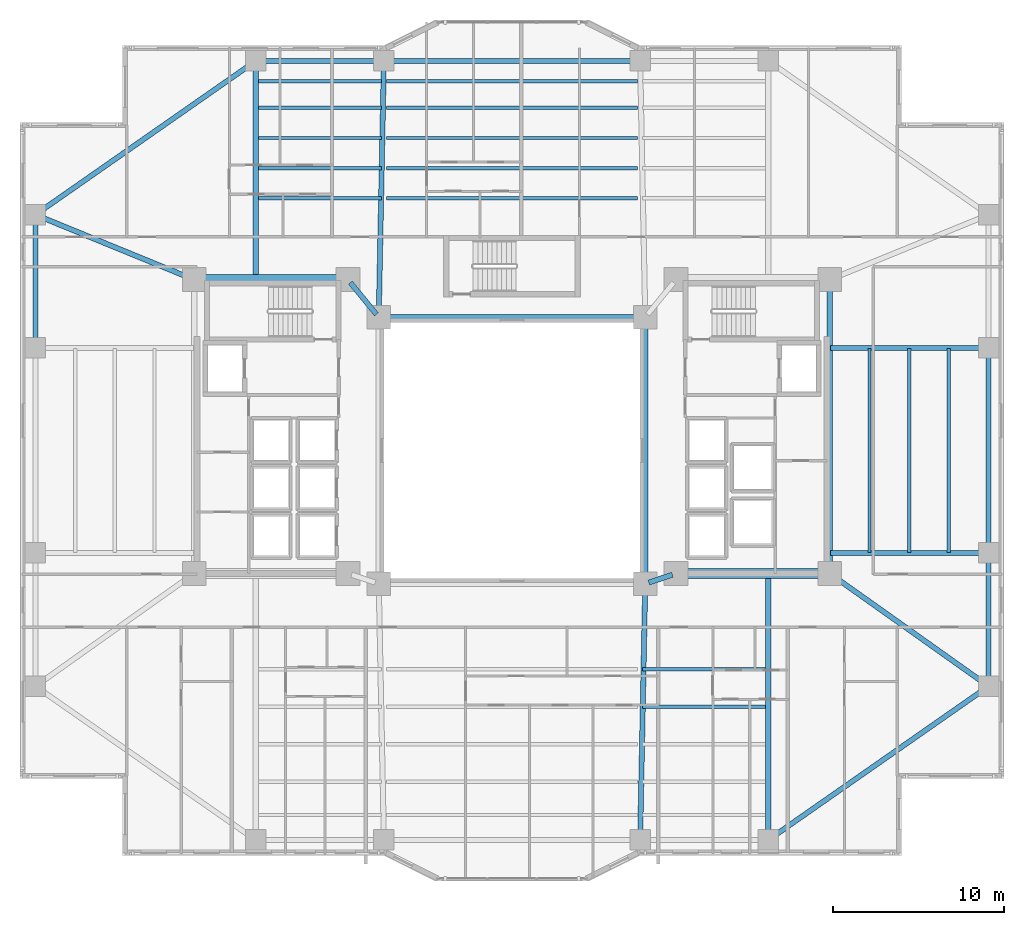
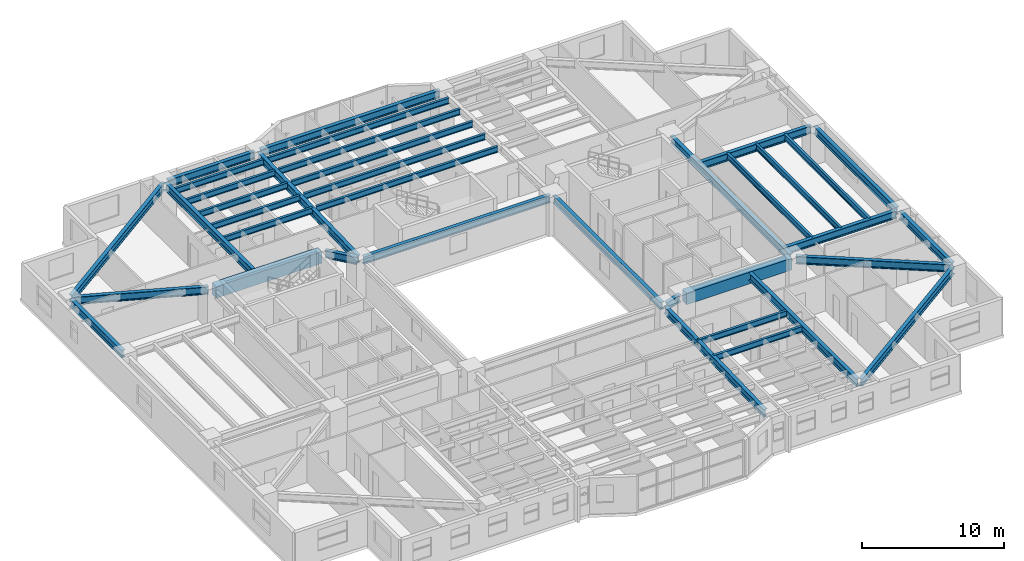
# One storey, part 5 of 21: 37 beams.
"""IFC4 building model written with IfcOpenShell, lengths in metres."""

from ifc_helpers import new_model, si_unit, direction, frame, origin, origin_2d, place, context, subcontext, project, spatial, rectangle, i_section, extrude, material, material_profile, profile_set, type_object, element, save


model = new_model("IFC4")

# Units and contexts
model_context = context("Model", 3, precision=1e-05, world=origin(), true_north=direction((0.0, 1.0)))
body_context = subcontext(model_context, "Body", "Model", "MODEL_VIEW")
ifc_project = project(units=[si_unit("LENGTHUNIT", "METRE"), si_unit("AREAUNIT", "SQUARE_METRE"), si_unit("VOLUMEUNIT", "CUBIC_METRE"), si_unit("PLANEANGLEUNIT", "RADIAN"), si_unit("MASSUNIT", "GRAM", prefix="KILO")], contexts=[model_context])

# Site, building, storey
site_placement = place(None, origin())
site = spatial("IfcSite", under=ifc_project, at=site_placement, CompositionType="ELEMENT")
building_placement = place(site_placement, origin())
building = spatial("IfcBuilding", under=site, at=building_placement, Name="Tarnavaz Court Tower", CompositionType="ELEMENT")
storey_placement = place(building_placement, frame((0.0, 0.0, 40.75)))
storey = spatial("IfcBuildingStorey", under=building, at=storey_placement, Name="L10", CompositionType="ELEMENT", Elevation=40.75)

# Beams
ifc_material_1 = material(Name="Concrete C60/75", Category="concrete")
ifc_material_profile_1 = material_profile(ifc_material_1, rectangle(XDim=0.60009765625, YDim=1.0, at=origin_2d()), Name="RC 600X1000")
ifc_profile_set_1 = profile_set([ifc_material_profile_1], Name="Concrete C60/75")
beam_type_1 = type_object("IfcBeamType", Name="BM-CB1000", PredefinedType="LINTEL", material=ifc_profile_set_1)
for number, where, z_axis, x_axis, name in (
    (1, (-18.3798828125, 10.0, 2.60009765625), (1.0, 0.0, 0.0), (0.0, 1.0, 0.0), "L10 Beam IN-CW-NO-CW-NI"),
    (2, (18.3798828125, -7.199951171875, 2.60009765625), (-1.0, 0.0, 0.0), (0.0, -1.0, 0.0), "L10 Beam IN-CE-SO-CE-SI"),
):
    element("IfcBeam", number, at=place(storey_placement, frame(where, z_axis=z_axis, x_axis=x_axis)), inside=storey, type_object=beam_type_1, Name=name, PredefinedType="LINTEL", context=body_context, shape_type="SweptSolid", body=[
        extrude(rectangle(XDim=0.60009765625, YDim=1.0, at=origin_2d()), origin(), (0.0, 0.0, 1.0), 8.559814453125),
    ])
ifc_material_2 = material(Name="Steel S355", Category="steel")
ifc_material_profile_2 = material_profile(ifc_material_2, i_section(OverallWidth=0.300048828125, OverallDepth=0.64990234375, WebThickness=0.01611328125, FlangeThickness=0.031005859375, FilletRadius=0.027099609375, at=origin_2d()), Name="HEB 650")
ifc_profile_set_2 = profile_set([ifc_material_profile_2], Name="Steel S355")
beam_type_2 = type_object("IfcBeamType", Name="BM-G-HEB650", PredefinedType="USERDEFINED", material=ifc_profile_set_2)
beam_1_placement = place(storey_placement, frame((9.391357421875, -7.26953125, 2.77490234375), z_axis=(-0.948666544706, -0.316278021615, 0.0), x_axis=(0.316278021615, -0.948666544706, 0.0)))
element("IfcBeam", 3, at=beam_1_placement, inside=storey, type_object=beam_type_2, Name="L10 Beam IN-CE-SI-IW-SE", ObjectType="GIRDER", PredefinedType="USERDEFINED", context=body_context, shape_type="SweptSolid", body=[
    extrude(i_section(OverallWidth=0.300048828125, OverallDepth=0.64990234375, WebThickness=0.01611328125, FlangeThickness=0.031005859375, FilletRadius=0.027099609375, at=origin_2d()), origin(), (0.0, 0.0, 1.0), 1.457275390625),
])
beam_2_placement = place(storey_placement, frame((-9.460693359375, 9.82958984375, 2.77490234375), z_axis=(0.633282058357, -0.773921077735, 0.0), x_axis=(0.773921077735, 0.633282058357, 0.0)))
element("IfcBeam", 4, at=beam_2_placement, inside=storey, type_object=beam_type_2, Name="L10 Beam IN-CW-NI-IW-NW", ObjectType="GIRDER", PredefinedType="USERDEFINED", context=body_context, shape_type="SweptSolid", body=[
    extrude(i_section(OverallWidth=0.300048828125, OverallDepth=0.64990234375, WebThickness=0.01611328125, FlangeThickness=0.031005859375, FilletRadius=0.027099609375, at=origin_2d()), origin(), (0.0, 0.0, 1.0), 2.402587890625),
])
beam_3_placement = place(storey_placement, frame((18.60009765625, -6.97998046875, 2.77490234375), z_axis=(0.0, 1.0, 0.0), x_axis=(-1.0, 0.0, 0.0)))
element("IfcBeam", 5, at=beam_3_placement, inside=storey, type_object=beam_type_2, Name="L10 Beam IN-CE-SO-CE-NO", ObjectType="GIRDER", PredefinedType="USERDEFINED", context=body_context, shape_type="SweptSolid", body=[
    extrude(i_section(OverallWidth=0.300048828125, OverallDepth=0.64990234375, WebThickness=0.01611328125, FlangeThickness=0.031005859375, FilletRadius=0.027099609375, at=origin_2d()), origin(), (0.0, 0.0, 1.0), 16.760009765625),
])
beam_4_placement = place(storey_placement, frame((-15.0, 10.0400390625, 2.77490234375), z_axis=(0.0, 1.0, 0.0), x_axis=(-1.0, 0.0, 0.0)))
element("IfcBeam", 6, at=beam_4_placement, inside=storey, type_object=beam_type_2, Name="L10 Beam RG-01", ObjectType="GIRDER", PredefinedType="USERDEFINED", context=body_context, shape_type="SweptSolid", body=[
    extrude(i_section(OverallWidth=0.300048828125, OverallDepth=0.64990234375, WebThickness=0.01611328125, FlangeThickness=0.031005859375, FilletRadius=0.027099609375, at=origin_2d()), origin(), (0.0, 0.0, 1.0), 12.5400390625),
])
for number, where, z_axis, x_axis, name in (
    (7, (-7.795654296875, 8.02001953125, 2.77490234375), (0.020000023066, 0.999799979535, 0.0), (-0.999799979535, 0.020000023066, 0.0), "L10 Beam RG-02"),
    (8, (7.795654296875, -8.02001953125, 2.77490234375), (-0.020000023066, -0.999799979535, 0.0), (0.999799979535, -0.020000023066, 0.0), "L10 Beam RG-07"),
):
    element("IfcBeam", number, at=place(storey_placement, frame(where, z_axis=z_axis, x_axis=x_axis)), inside=storey, type_object=beam_type_2, Name=name, ObjectType="GIRDER", PredefinedType="USERDEFINED", context=body_context, shape_type="SweptSolid", body=[
        extrude(i_section(OverallWidth=0.300048828125, OverallDepth=0.64990234375, WebThickness=0.01611328125, FlangeThickness=0.031005859375, FilletRadius=0.027099609375, at=origin_2d()), origin(), (0.0, 0.0, 1.0), 14.56298828125),
    ])
beam_5_placement = place(storey_placement, frame((15.0, -7.239990234375, 2.77490234375), z_axis=(0.0, -1.0, 0.0), x_axis=(1.0, 0.0, 0.0)))
element("IfcBeam", 9, at=beam_5_placement, inside=storey, type_object=beam_type_2, Name="L10 Beam RG-08", ObjectType="GIRDER", PredefinedType="USERDEFINED", context=body_context, shape_type="SweptSolid", body=[
    extrude(i_section(OverallWidth=0.300048828125, OverallDepth=0.64990234375, WebThickness=0.01611328125, FlangeThickness=0.031005859375, FilletRadius=0.027099609375, at=origin_2d()), origin(), (0.0, 0.0, 1.0), 15.340087890625),
])
for number, where, z_axis, x_axis, name in (
    (10, (18.639892578125, -6.0, 2.77490234375), (1.0, 0.0, 0.0), (0.0, 1.0, 0.0), "L10 Beam RG-09"),
    (11, (18.639892578125, 6.0, 2.77490234375), (1.0, 0.0, 0.0), (0.0, 1.0, 0.0), "L10 Beam RG-10"),
):
    element("IfcBeam", number, at=place(storey_placement, frame(where, z_axis=z_axis, x_axis=x_axis)), inside=storey, type_object=beam_type_2, Name=name, ObjectType="GIRDER", PredefinedType="USERDEFINED", context=body_context, shape_type="SweptSolid", body=[
        extrude(i_section(OverallWidth=0.300048828125, OverallDepth=0.64990234375, WebThickness=0.01611328125, FlangeThickness=0.031005859375, FilletRadius=0.027099609375, at=origin_2d()), origin(), (0.0, 0.0, 1.0), 9.0400390625),
    ])
beam_6_placement = place(storey_placement, frame((18.779296875, -7.327392578125, 2.77490234375), z_axis=(0.815520027245, -0.578728852886, 0.0), x_axis=(0.578728852886, 0.815520027245, 0.0)))
element("IfcBeam", 12, at=beam_6_placement, inside=storey, type_object=beam_type_2, Name="L10 Beam RG-11", ObjectType="GIRDER", PredefinedType="USERDEFINED", context=body_context, shape_type="SweptSolid", body=[
    extrude(i_section(OverallWidth=0.300048828125, OverallDepth=0.64990234375, WebThickness=0.01611328125, FlangeThickness=0.031005859375, FilletRadius=0.027099609375, at=origin_2d()), origin(), (0.0, 0.0, 1.0), 10.964111328125),
])
beam_7_placement = place(storey_placement, frame((-18.8037109375, 10.083251953125, 2.77490234375), z_axis=(-0.925704761705, 0.378246869329, 0.0), x_axis=(-0.378246869329, -0.925704761705, 0.0)))
element("IfcBeam", 13, at=beam_7_placement, inside=storey, type_object=beam_type_2, Name="L10 Beam RG-16", ObjectType="GIRDER", PredefinedType="USERDEFINED", context=body_context, shape_type="SweptSolid", body=[
    extrude(i_section(OverallWidth=0.300048828125, OverallDepth=0.64990234375, WebThickness=0.01611328125, FlangeThickness=0.031005859375, FilletRadius=0.027099609375, at=origin_2d()), origin(), (0.0, 0.0, 1.0), 9.606201171875),
])
ifc_material_profile_3 = material_profile(ifc_material_2, i_section(OverallWidth=0.199951171875, OverallDepth=0.5, WebThickness=0.01025390625, FlangeThickness=0.01611328125, FilletRadius=0.02099609375, at=origin_2d()), Name="IPE 500")
ifc_profile_set_3 = profile_set([ifc_material_profile_3], Name="Steel S355")
beam_type_3 = type_object("IfcBeamType", Name="BM-J-IPE500", PredefinedType="JOIST", material=ifc_profile_set_3)
beam_8_placement = place(storey_placement, frame((-14.85009765625, 14.763916015625, 2.85009765625), z_axis=(1.0, 0.0, 0.0), x_axis=(0.0, 1.0, 0.0)))
element("IfcBeam", 14, at=beam_8_placement, inside=storey, type_object=beam_type_3, Name="L10 Beam JN1-1", PredefinedType="JOIST", context=body_context, shape_type="SweptSolid", body=[
    extrude(i_section(OverallWidth=0.199951171875, OverallDepth=0.5, WebThickness=0.01025390625, FlangeThickness=0.01611328125, FilletRadius=0.02099609375, at=origin_2d()), origin(), (0.0, 0.0, 1.0), 7.2001953125),
])
beam_9_placement = place(storey_placement, frame((-7.35009765625, 14.763916015625, 2.85009765625), z_axis=(1.0, 0.0, 0.0), x_axis=(0.0, 1.0, 0.0)))
element("IfcBeam", 15, at=beam_9_placement, inside=storey, type_object=beam_type_3, Name="L10 Beam JN1-2", PredefinedType="JOIST", context=body_context, shape_type="SweptSolid", body=[
    extrude(i_section(OverallWidth=0.199951171875, OverallDepth=0.5, WebThickness=0.01025390625, FlangeThickness=0.01611328125, FilletRadius=0.02099609375, at=origin_2d()), origin(), (0.0, 0.0, 1.0), 14.7001953125),
])
for number, where, z_axis, x_axis, name in (
    (16, (7.64990234375, -12.7958984375, 2.85009765625), (1.0, 0.0, 0.0), (0.0, 1.0, 0.0), "L10 Beam JS1-3"),
    (17, (-14.85009765625, 16.528076171875, 2.85009765625), (1.0, 0.0, 0.0), (0.0, 1.0, 0.0), "L10 Beam JN2-1"),
):
    element("IfcBeam", number, at=place(storey_placement, frame(where, z_axis=z_axis, x_axis=x_axis)), inside=storey, type_object=beam_type_3, Name=name, PredefinedType="JOIST", context=body_context, shape_type="SweptSolid", body=[
        extrude(i_section(OverallWidth=0.199951171875, OverallDepth=0.5, WebThickness=0.01025390625, FlangeThickness=0.01611328125, FilletRadius=0.02099609375, at=origin_2d()), origin(), (0.0, 0.0, 1.0), 7.2001953125),
    ])
beam_10_placement = place(storey_placement, frame((-7.35009765625, 16.528076171875, 2.85009765625), z_axis=(1.0, 0.0, 0.0), x_axis=(0.0, 1.0, 0.0)))
element("IfcBeam", 18, at=beam_10_placement, inside=storey, type_object=beam_type_3, Name="L10 Beam JN2-2", PredefinedType="JOIST", context=body_context, shape_type="SweptSolid", body=[
    extrude(i_section(OverallWidth=0.199951171875, OverallDepth=0.5, WebThickness=0.01025390625, FlangeThickness=0.01611328125, FilletRadius=0.02099609375, at=origin_2d()), origin(), (0.0, 0.0, 1.0), 14.7001953125),
])
for number, where, z_axis, x_axis, name in (
    (19, (7.64990234375, -14.991943359375, 2.85009765625), (1.0, 0.0, 0.0), (0.0, 1.0, 0.0), "L10 Beam JS2-3"),
    (20, (-14.85009765625, 18.2919921875, 2.85009765625), (1.0, 0.0, 0.0), (0.0, 1.0, 0.0), "L10 Beam JN3-1"),
):
    element("IfcBeam", number, at=place(storey_placement, frame(where, z_axis=z_axis, x_axis=x_axis)), inside=storey, type_object=beam_type_3, Name=name, PredefinedType="JOIST", context=body_context, shape_type="SweptSolid", body=[
        extrude(i_section(OverallWidth=0.199951171875, OverallDepth=0.5, WebThickness=0.01025390625, FlangeThickness=0.01611328125, FilletRadius=0.02099609375, at=origin_2d()), origin(), (0.0, 0.0, 1.0), 7.2001953125),
    ])
beam_11_placement = place(storey_placement, frame((-7.35009765625, 18.2919921875, 2.85009765625), z_axis=(1.0, 0.0, 0.0), x_axis=(0.0, 1.0, 0.0)))
element("IfcBeam", 21, at=beam_11_placement, inside=storey, type_object=beam_type_3, Name="L10 Beam JN3-2", PredefinedType="JOIST", context=body_context, shape_type="SweptSolid", body=[
    extrude(i_section(OverallWidth=0.199951171875, OverallDepth=0.5, WebThickness=0.01025390625, FlangeThickness=0.01611328125, FilletRadius=0.02099609375, at=origin_2d()), origin(), (0.0, 0.0, 1.0), 14.7001953125),
])
beam_12_placement = place(storey_placement, frame((-14.85009765625, 20.055908203125, 2.85009765625), z_axis=(1.0, 0.0, 0.0), x_axis=(0.0, 1.0, 0.0)))
element("IfcBeam", 22, at=beam_12_placement, inside=storey, type_object=beam_type_3, Name="L10 Beam JN4-1", PredefinedType="JOIST", context=body_context, shape_type="SweptSolid", body=[
    extrude(i_section(OverallWidth=0.199951171875, OverallDepth=0.5, WebThickness=0.01025390625, FlangeThickness=0.01611328125, FilletRadius=0.02099609375, at=origin_2d()), origin(), (0.0, 0.0, 1.0), 7.2001953125),
])
beam_13_placement = place(storey_placement, frame((-7.35009765625, 20.055908203125, 2.85009765625), z_axis=(1.0, 0.0, 0.0), x_axis=(0.0, 1.0, 0.0)))
element("IfcBeam", 23, at=beam_13_placement, inside=storey, type_object=beam_type_3, Name="L10 Beam JN4-2", PredefinedType="JOIST", context=body_context, shape_type="SweptSolid", body=[
    extrude(i_section(OverallWidth=0.199951171875, OverallDepth=0.5, WebThickness=0.01025390625, FlangeThickness=0.01611328125, FilletRadius=0.02099609375, at=origin_2d()), origin(), (0.0, 0.0, 1.0), 14.7001953125),
])
beam_14_placement = place(storey_placement, frame((-14.85009765625, 21.6240234375, 2.85009765625), z_axis=(1.0, 0.0, 0.0), x_axis=(0.0, 1.0, 0.0)))
element("IfcBeam", 24, at=beam_14_placement, inside=storey, type_object=beam_type_3, Name="L10 Beam JN5-1", PredefinedType="JOIST", context=body_context, shape_type="SweptSolid", body=[
    extrude(i_section(OverallWidth=0.199951171875, OverallDepth=0.5, WebThickness=0.01025390625, FlangeThickness=0.01611328125, FilletRadius=0.02099609375, at=origin_2d()), origin(), (0.0, 0.0, 1.0), 7.2001953125),
])
beam_15_placement = place(storey_placement, frame((-7.35009765625, 21.6240234375, 2.85009765625), z_axis=(1.0, 0.0, 0.0), x_axis=(0.0, 1.0, 0.0)))
element("IfcBeam", 25, at=beam_15_placement, inside=storey, type_object=beam_type_3, Name="L10 Beam JN5-2", PredefinedType="JOIST", context=body_context, shape_type="SweptSolid", body=[
    extrude(i_section(OverallWidth=0.199951171875, OverallDepth=0.5, WebThickness=0.01025390625, FlangeThickness=0.01611328125, FilletRadius=0.02099609375, at=origin_2d()), origin(), (0.0, 0.0, 1.0), 14.7001953125),
])
for number, where, z_axis, x_axis, name in (
    (26, (20.925048828125, -5.9599609375, 2.85009765625), (0.0, 1.0, 0.0), (-1.0, 0.0, 0.0), "L10 Beam JE1"),
    (27, (23.25, -5.9599609375, 2.85009765625), (0.0, 1.0, 0.0), (-1.0, 0.0, 0.0), "L10 Beam JE2"),
    (28, (25.574951171875, -5.9599609375, 2.85009765625), (0.0, 1.0, 0.0), (-1.0, 0.0, 0.0), "L10 Beam JE3"),
):
    element("IfcBeam", number, at=place(storey_placement, frame(where, z_axis=z_axis, x_axis=x_axis)), inside=storey, type_object=beam_type_3, Name=name, PredefinedType="JOIST", context=body_context, shape_type="SweptSolid", body=[
        extrude(i_section(OverallWidth=0.199951171875, OverallDepth=0.5, WebThickness=0.01025390625, FlangeThickness=0.01611328125, FilletRadius=0.02099609375, at=origin_2d()), origin(), (0.0, 0.0, 1.0), 11.919921875),
    ])
ifc_material_profile_4 = material_profile(ifc_material_2, i_section(OverallWidth=0.300048828125, OverallDepth=0.639892578125, WebThickness=0.013427734375, FlangeThickness=0.02587890625, FilletRadius=0.027099609375, at=origin_2d()), Name="HEA 650")
ifc_profile_set_4 = profile_set([ifc_material_profile_4], Name="Steel S355")
beam_type_4 = type_object("IfcBeamType", Name="BM-SP-HEA650", PredefinedType="SPANDREL", material=ifc_profile_set_4)
for number, where, z_axis, x_axis, name in (
    (29, (-7.580078125, 7.800048828125, 2.780029296875), (1.0, 0.0, 0.0), (0.0, 1.0, 0.0), "L10 Beam IN-IW-NW-IW-NE"),
    (30, (7.800048828125, -7.580078125, 2.780029296875), (0.0, 1.0, 0.0), (-1.0, 0.0, 0.0), "L10 Beam IN-IW-SE-IW-NE"),
):
    element("IfcBeam", number, at=place(storey_placement, frame(where, z_axis=z_axis, x_axis=x_axis)), inside=storey, type_object=beam_type_4, Name=name, PredefinedType="SPANDREL", context=body_context, shape_type="SweptSolid", body=[
        extrude(i_section(OverallWidth=0.300048828125, OverallDepth=0.639892578125, WebThickness=0.013427734375, FlangeThickness=0.02587890625, FilletRadius=0.027099609375, at=origin_2d()), origin(), (0.0, 0.0, 1.0), 15.16015625),
    ])
beam_16_placement = place(storey_placement, frame((-14.780029296875, 22.800048828125, 2.780029296875), z_axis=(1.0, 0.0, 0.0), x_axis=(0.0, 1.0, 0.0)))
element("IfcBeam", 31, at=beam_16_placement, inside=storey, type_object=beam_type_4, Name="L10 Beam PR-PN-1-PN-2", PredefinedType="SPANDREL", context=body_context, shape_type="SweptSolid", body=[
    extrude(i_section(OverallWidth=0.300048828125, OverallDepth=0.639892578125, WebThickness=0.013427734375, FlangeThickness=0.02587890625, FilletRadius=0.027099609375, at=origin_2d()), origin(), (0.0, 0.0, 1.0), 7.06005859375),
])
beam_17_placement = place(storey_placement, frame((-7.280029296875, 22.800048828125, 2.780029296875), z_axis=(1.0, 0.0, 0.0), x_axis=(0.0, 1.0, 0.0)))
element("IfcBeam", 32, at=beam_17_placement, inside=storey, type_object=beam_type_4, Name="L10 Beam PR-PN-2-PN-3", PredefinedType="SPANDREL", context=body_context, shape_type="SweptSolid", body=[
    extrude(i_section(OverallWidth=0.300048828125, OverallDepth=0.639892578125, WebThickness=0.013427734375, FlangeThickness=0.02587890625, FilletRadius=0.027099609375, at=origin_2d()), origin(), (0.0, 0.0, 1.0), 14.56005859375),
])
beam_18_placement = place(storey_placement, frame((27.89990234375, -13.580078125, 2.780029296875), z_axis=(0.0, 1.0, 0.0), x_axis=(-1.0, 0.0, 0.0)))
element("IfcBeam", 33, at=beam_18_placement, inside=storey, type_object=beam_type_4, Name="L10 Beam PR-PE-1-PE-2", PredefinedType="SPANDREL", context=body_context, shape_type="SweptSolid", body=[
    extrude(i_section(OverallWidth=0.300048828125, OverallDepth=0.639892578125, WebThickness=0.013427734375, FlangeThickness=0.02587890625, FilletRadius=0.027099609375, at=origin_2d()), origin(), (0.0, 0.0, 1.0), 7.360107421875),
])
beam_19_placement = place(storey_placement, frame((27.89990234375, -5.780029296875, 2.780029296875), z_axis=(0.0, 1.0, 0.0), x_axis=(-1.0, 0.0, 0.0)))
element("IfcBeam", 34, at=beam_19_placement, inside=storey, type_object=beam_type_4, Name="L10 Beam PR-PE-2-PE-3", PredefinedType="SPANDREL", context=body_context, shape_type="SweptSolid", body=[
    extrude(i_section(OverallWidth=0.300048828125, OverallDepth=0.639892578125, WebThickness=0.013427734375, FlangeThickness=0.02587890625, FilletRadius=0.027099609375, at=origin_2d()), origin(), (0.0, 0.0, 1.0), 11.56005859375),
])
beam_20_placement = place(storey_placement, frame((-27.89990234375, 6.219970703125, 2.780029296875), z_axis=(0.0, 1.0, 0.0), x_axis=(-1.0, 0.0, 0.0)))
element("IfcBeam", 35, at=beam_20_placement, inside=storey, type_object=beam_type_4, Name="L10 Beam PR-PW-3-PW-4", PredefinedType="SPANDREL", context=body_context, shape_type="SweptSolid", body=[
    extrude(i_section(OverallWidth=0.300048828125, OverallDepth=0.639892578125, WebThickness=0.013427734375, FlangeThickness=0.02587890625, FilletRadius=0.027099609375, at=origin_2d()), origin(), (0.0, 0.0, 1.0), 7.360107421875),
])
for number, where, z_axis, x_axis, name in (
    (36, (27.719482421875, -13.92578125, 2.780029296875), (-0.820123643324, -0.572186341729, 0.0), (0.572186341729, -0.820123643324, 0.0), "L10 Beam PR-PE-1-PS-4"),
    (37, (-27.719482421875, 13.92578125, 2.780029296875), (0.820123643324, 0.572186341729, 0.0), (-0.572186341729, 0.820123643324, 0.0), "L10 Beam PR-PW-4-PN-1"),
):
    element("IfcBeam", number, at=place(storey_placement, frame(where, z_axis=z_axis, x_axis=x_axis)), inside=storey, type_object=beam_type_4, Name=name, PredefinedType="SPANDREL", context=body_context, shape_type="SweptSolid", body=[
        extrude(i_section(OverallWidth=0.300048828125, OverallDepth=0.639892578125, WebThickness=0.013427734375, FlangeThickness=0.02587890625, FilletRadius=0.027099609375, at=origin_2d()), origin(), (0.0, 0.0, 1.0), 15.289306640625),
    ])

save(model, "model.ifc")
